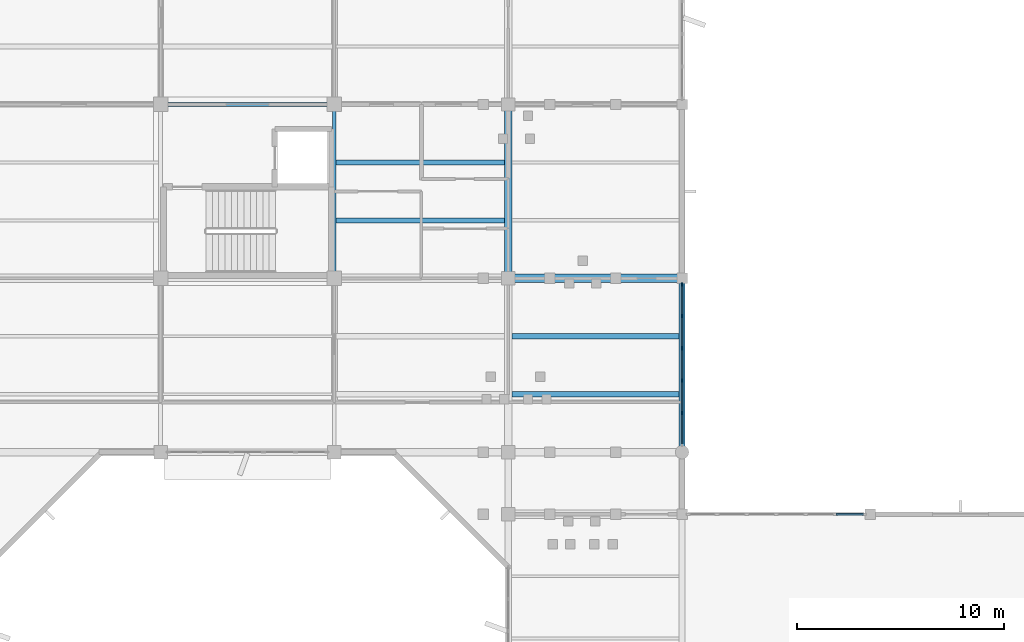
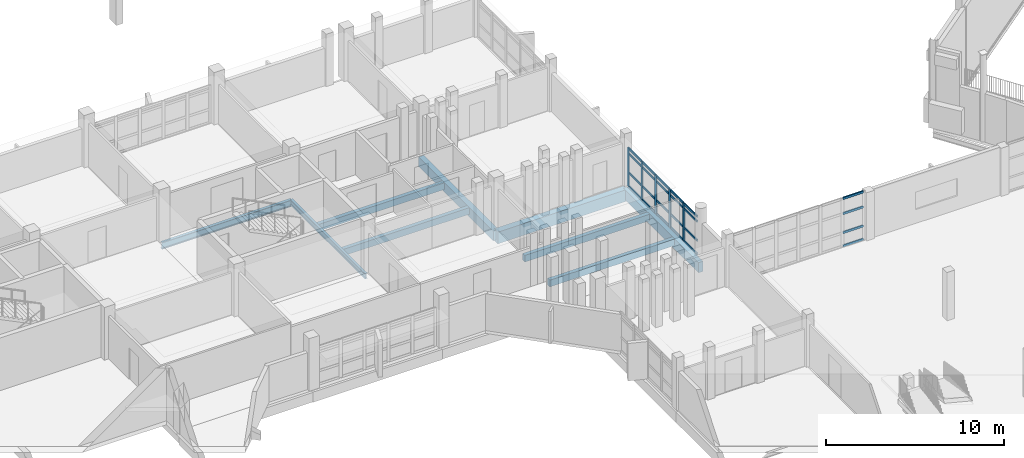
# One storey, part 41 of 104: 29 members, 9 beams, 2 elements without a shape of their own.
"""IFC4 building model written with IfcOpenShell, lengths in metres."""

from ifc_helpers import new_model, si_unit, direction, frame, origin, origin_2d, place, context, subcontext, project, spatial, rectangle, i_section, extrude, material, material_profile, profile_set, type_object, element, aggregate, save


model = new_model("IFC4")

# Units and contexts
model_context = context("Model", 3, precision=1e-05, world=origin(), true_north=direction((0.0, 1.0)))
body_context = subcontext(model_context, "Body", "Model", "MODEL_VIEW")
ifc_project = project(units=[si_unit("LENGTHUNIT", "METRE"), si_unit("AREAUNIT", "SQUARE_METRE"), si_unit("VOLUMEUNIT", "CUBIC_METRE"), si_unit("PLANEANGLEUNIT", "RADIAN"), si_unit("MASSUNIT", "GRAM", prefix="KILO")], contexts=[model_context])

# Site, building, storey
site_placement = place(None, origin())
site = spatial("IfcSite", under=ifc_project, at=site_placement, CompositionType="ELEMENT")
building_placement = place(site_placement, origin())
building = spatial("IfcBuilding", under=site, at=building_placement, Name="Vanh Quang Courtyard School", CompositionType="ELEMENT")
storey_placement = place(building_placement, frame((0.0, 0.0, 4.199951171875)))
storey = spatial("IfcBuildingStorey", under=building, at=storey_placement, Name="L01", CompositionType="ELEMENT", Elevation=4.199951171875)

# Beams
ifc_material_1 = material(Name="Concrete C35/45", Category="concrete")
ifc_material_profile_1 = material_profile(ifc_material_1, rectangle(XDim=0.35009765625, YDim=0.64990234375, at=origin_2d()), Name="RC-BM 350x650")
ifc_profile_set_1 = profile_set([ifc_material_profile_1], Name="Concrete C35/45")
beam_type_1 = type_object("IfcBeamType", Name="BM-RC-350x650", PredefinedType="BEAM", material=ifc_profile_set_1)
beam_1_placement = place(storey_placement, frame((111.0, 79.800048828125, -0.60498046875), z_axis=(0.0, 1.0, 0.0), x_axis=(-1.0, 0.0, 0.0)))
element("IfcBeam", 1, at=beam_1_placement, inside=storey, type_object=beam_type_1, Name="Beam B-05 (L01)", PredefinedType="BEAM", context=body_context, shape_type="SweptSolid", body=[
    extrude(rectangle(XDim=0.35009765625, YDim=0.64990234375, at=origin_2d()), origin(), (0.0, 0.0, 1.0), 8.39990234375),
])
ifc_material_profile_2 = material_profile(ifc_material_1, rectangle(XDim=0.39990234375, YDim=0.800048828125, at=origin_2d()), Name="RC-BM 400x800")
ifc_profile_set_2 = profile_set([ifc_material_profile_2], Name="Concrete C35/45")
beam_type_2 = type_object("IfcBeamType", Name="BM-RC-400x800", PredefinedType="BEAM", material=ifc_profile_set_2)
beam_2_placement = place(storey_placement, frame((111.0, 79.800048828125, -0.679931640625), z_axis=(1.0, 0.0, 0.0), x_axis=(0.0, 1.0, 0.0)))
element("IfcBeam", 2, at=beam_2_placement, inside=storey, type_object=beam_type_2, Name="Beam B-02 (L01)", PredefinedType="BEAM", context=body_context, shape_type="SweptSolid", body=[
    extrude(rectangle(XDim=0.39990234375, YDim=0.800048828125, at=origin_2d()), origin(), (0.0, 0.0, 1.0), 8.39990234375),
])
ifc_material_profile_3 = material_profile(ifc_material_1, rectangle(XDim=0.300048828125, YDim=0.699951171875, at=origin_2d()), Name="RC-SP 300x700")
ifc_profile_set_3 = profile_set([ifc_material_profile_3], Name="Concrete C35/45")
beam_type_3 = type_object("IfcBeamType", Name="BM-SP-300x700", PredefinedType="SPANDREL", material=ifc_profile_set_3)
beam_3_placement = place(storey_placement, frame((119.39990234375, 71.39990234375, -0.6298828125), z_axis=(0.0, 1.0, 0.0), x_axis=(-1.0, 0.0, 0.0)))
element("IfcBeam", 3, at=beam_3_placement, inside=storey, type_object=beam_type_3, Name="Beam BS-01 (L01)", PredefinedType="SPANDREL", context=body_context, shape_type="SweptSolid", body=[
    extrude(rectangle(XDim=0.300048828125, YDim=0.699951171875, at=origin_2d()), origin(), (0.0, 0.0, 1.0), 8.400146484375),
])
ifc_material_2 = material(Name="Structural steel EN 10025-2 S355J2", Category="steel")
ifc_material_profile_4 = material_profile(ifc_material_2, i_section(OverallWidth=0.169921875, OverallDepth=0.360107421875, WebThickness=0.008056640625, FlangeThickness=0.0126953125, FilletRadius=0.01806640625, at=origin_2d()), Name="IPE 360")
ifc_profile_set_4 = profile_set([ifc_material_profile_4], Name="Structural steel EN 10025-2 S355J2")
beam_type_4 = type_object("IfcBeamType", Name="BM-STL-IPE360", PredefinedType="BEAM", material=ifc_profile_set_4)
beam_4_placement = place(storey_placement, frame((102.60009765625, 79.800048828125, -0.4599609375), z_axis=(0.0, 1.0, 0.0), x_axis=(-1.0, 0.0, 0.0)))
element("IfcBeam", 4, at=beam_4_placement, inside=storey, type_object=beam_type_4, Name="Beam SB-06 (L01)", PredefinedType="BEAM", context=body_context, shape_type="SweptSolid", body=[
    extrude(i_section(OverallWidth=0.169921875, OverallDepth=0.360107421875, WebThickness=0.008056640625, FlangeThickness=0.0126953125, FilletRadius=0.01806640625, at=origin_2d()), origin(), (0.0, 0.0, 1.0), 8.39990234375),
])
ifc_material_profile_5 = material_profile(ifc_material_2, i_section(OverallWidth=0.18994140625, OverallDepth=0.449951171875, WebThickness=0.009521484375, FlangeThickness=0.0146484375, FilletRadius=0.02099609375, at=origin_2d()), Name="IPE 450")
ifc_profile_set_5 = profile_set([ifc_material_profile_5], Name="Structural steel EN 10025-2 S355J2")
beam_type_5 = type_object("IfcBeamType", Name="BM-STL-IPE450", PredefinedType="BEAM", material=ifc_profile_set_5)
beam_5_placement = place(storey_placement, frame((94.199951171875, 88.199951171875, -0.5048828125), z_axis=(1.0, 0.0, 0.0), x_axis=(0.0, 1.0, 0.0)))
element("IfcBeam", 5, at=beam_5_placement, inside=storey, type_object=beam_type_5, Name="Beam SB-04 (L01)", PredefinedType="BEAM", context=body_context, shape_type="SweptSolid", body=[
    extrude(i_section(OverallWidth=0.18994140625, OverallDepth=0.449951171875, WebThickness=0.009521484375, FlangeThickness=0.0146484375, FilletRadius=0.02099609375, at=origin_2d()), origin(), (0.0, 0.0, 1.0), 8.400146484375),
])

# Curtain wall, members
ifc_material_3 = material(Name="Thermally broken aluminium unitised curtain wall", Category="aluminium")
curtain_wall_type_1 = type_object("IfcCurtainWallType", Name="CW-SYS-24", PredefinedType="NOTDEFINED", material=ifc_material_3)
curtain_wall_1_placement = place(storey_placement, origin())
curtain_wall_1 = element("IfcCurtainWall", 6, at=curtain_wall_1_placement, inside=storey, type_object=curtain_wall_type_1, Name="Curtain Wall CW-24 (L01)", PredefinedType="NOTDEFINED")
ifc_material_4 = material(Name="Anodised aluminium 6063-T6", Category="aluminium")
ifc_material_profile_6 = material_profile(ifc_material_4, rectangle(XDim=0.070068359375, YDim=0.179931640625, at=origin_2d()), Name="ALU-MUL 70x180")
ifc_profile_set_6 = profile_set([ifc_material_profile_6], Name="Anodised aluminium 6063-T6")
member_type_1 = type_object("IfcMemberType", Name="CW-MUL-70x180", PredefinedType="MULLION", material=ifc_profile_set_6)
member_1_placement = place(storey_placement, frame((119.39990234375, 79.507080078125, 0.0), z_axis=(0.0, 0.0, 1.0), x_axis=(1.0, 0.0, 0.0)))
member_1 = element("IfcMember", 7, at=member_1_placement, type_object=member_type_1, Name="CW-24 mullion 1", PredefinedType="MULLION", context=body_context, shape_type="SweptSolid", body=[
    extrude(rectangle(XDim=0.070068359375, YDim=0.179931640625, at=origin_2d()), origin(), (0.0, 0.0, 1.0), 2.6201171875),
])
member_2_placement = place(storey_placement, frame((119.39990234375, 77.980224609375, 0.0), z_axis=(0.0, 0.0, 1.0), x_axis=(1.0, 0.0, 0.0)))
member_2 = element("IfcMember", 8, at=member_2_placement, type_object=member_type_1, Name="CW-24 mullion 2", PredefinedType="MULLION", context=body_context, shape_type="SweptSolid", body=[
    extrude(rectangle(XDim=0.070068359375, YDim=0.179931640625, at=origin_2d()), origin(), (0.0, 0.0, 1.0), 2.6201171875),
])
member_3_placement = place(storey_placement, frame((119.39990234375, 76.41845703125, 0.0), z_axis=(0.0, 0.0, 1.0), x_axis=(1.0, 0.0, 0.0)))
member_3 = element("IfcMember", 9, at=member_3_placement, type_object=member_type_1, Name="CW-24 mullion 3", PredefinedType="MULLION", context=body_context, shape_type="SweptSolid", body=[
    extrude(rectangle(XDim=0.070068359375, YDim=0.179931640625, at=origin_2d()), origin(), (0.0, 0.0, 1.0), 2.6201171875),
])
member_4_placement = place(storey_placement, frame((119.39990234375, 74.856689453125, 0.0), z_axis=(0.0, 0.0, 1.0), x_axis=(1.0, 0.0, 0.0)))
member_4 = element("IfcMember", 10, at=member_4_placement, type_object=member_type_1, Name="CW-24 mullion 4", PredefinedType="MULLION", context=body_context, shape_type="SweptSolid", body=[
    extrude(rectangle(XDim=0.070068359375, YDim=0.179931640625, at=origin_2d()), origin(), (0.0, 0.0, 1.0), 2.6201171875),
])
member_5_placement = place(storey_placement, frame((119.39990234375, 73.294921875, 0.0), z_axis=(0.0, 0.0, 1.0), x_axis=(1.0, 0.0, 0.0)))
member_5 = element("IfcMember", 11, at=member_5_placement, type_object=member_type_1, Name="CW-24 mullion 5", PredefinedType="MULLION", context=body_context, shape_type="SweptSolid", body=[
    extrude(rectangle(XDim=0.070068359375, YDim=0.179931640625, at=origin_2d()), origin(), (0.0, 0.0, 1.0), 2.6201171875),
])
ifc_material_profile_7 = material_profile(ifc_material_4, rectangle(XDim=0.070068359375, YDim=0.139892578125, at=origin_2d()), Name="ALU-TRN 70x140")
ifc_profile_set_7 = profile_set([ifc_material_profile_7], Name="Anodised aluminium 6063-T6")
member_type_2 = type_object("IfcMemberType", Name="CW-TRN-70x140", PredefinedType="USERDEFINED", material=ifc_profile_set_7)
member_6_placement = place(storey_placement, frame((119.39990234375, 79.471923828125, 0.03515625), z_axis=(0.0, -1.0, 0.0), x_axis=(1.0, 0.0, 0.0)))
member_6 = element("IfcMember", 12, at=member_6_placement, type_object=member_type_2, Name="CW-24 transom 1.1", ObjectType="TRANSOM", PredefinedType="USERDEFINED", context=body_context, shape_type="SweptSolid", body=[
    extrude(rectangle(XDim=0.070068359375, YDim=0.139892578125, at=origin_2d()), origin(), (0.0, 0.0, 1.0), 1.456787109375),
])
member_7_placement = place(storey_placement, frame((119.39990234375, 79.471923828125, 0.949951171875), z_axis=(0.0, -1.0, 0.0), x_axis=(1.0, 0.0, 0.0)))
member_7 = element("IfcMember", 13, at=member_7_placement, type_object=member_type_2, Name="CW-24 transom 1.2", ObjectType="TRANSOM", PredefinedType="USERDEFINED", context=body_context, shape_type="SweptSolid", body=[
    extrude(rectangle(XDim=0.070068359375, YDim=0.139892578125, at=origin_2d()), origin(), (0.0, 0.0, 1.0), 1.456787109375),
])
member_8_placement = place(storey_placement, frame((119.39990234375, 79.471923828125, 2.25), z_axis=(0.0, -1.0, 0.0), x_axis=(1.0, 0.0, 0.0)))
member_8 = element("IfcMember", 14, at=member_8_placement, type_object=member_type_2, Name="CW-24 transom 1.3", ObjectType="TRANSOM", PredefinedType="USERDEFINED", context=body_context, shape_type="SweptSolid", body=[
    extrude(rectangle(XDim=0.070068359375, YDim=0.139892578125, at=origin_2d()), origin(), (0.0, 0.0, 1.0), 1.456787109375),
])
member_9_placement = place(storey_placement, frame((119.39990234375, 79.471923828125, 2.5849609375), z_axis=(0.0, -1.0, 0.0), x_axis=(1.0, 0.0, 0.0)))
member_9 = element("IfcMember", 15, at=member_9_placement, type_object=member_type_2, Name="CW-24 transom 1.4", ObjectType="TRANSOM", PredefinedType="USERDEFINED", context=body_context, shape_type="SweptSolid", body=[
    extrude(rectangle(XDim=0.070068359375, YDim=0.139892578125, at=origin_2d()), origin(), (0.0, 0.0, 1.0), 1.456787109375),
])
member_10_placement = place(storey_placement, frame((119.39990234375, 77.9453125, 0.03515625), z_axis=(0.0, -1.0, 0.0), x_axis=(1.0, 0.0, 0.0)))
member_10 = element("IfcMember", 16, at=member_10_placement, type_object=member_type_2, Name="CW-24 transom 2.1", ObjectType="TRANSOM", PredefinedType="USERDEFINED", context=body_context, shape_type="SweptSolid", body=[
    extrude(rectangle(XDim=0.070068359375, YDim=0.139892578125, at=origin_2d()), origin(), (0.0, 0.0, 1.0), 1.491943359375),
])
member_11_placement = place(storey_placement, frame((119.39990234375, 77.9453125, 0.949951171875), z_axis=(0.0, -1.0, 0.0), x_axis=(1.0, 0.0, 0.0)))
member_11 = element("IfcMember", 17, at=member_11_placement, type_object=member_type_2, Name="CW-24 transom 2.2", ObjectType="TRANSOM", PredefinedType="USERDEFINED", context=body_context, shape_type="SweptSolid", body=[
    extrude(rectangle(XDim=0.070068359375, YDim=0.139892578125, at=origin_2d()), origin(), (0.0, 0.0, 1.0), 1.491943359375),
])
member_12_placement = place(storey_placement, frame((119.39990234375, 77.9453125, 2.25), z_axis=(0.0, -1.0, 0.0), x_axis=(1.0, 0.0, 0.0)))
member_12 = element("IfcMember", 18, at=member_12_placement, type_object=member_type_2, Name="CW-24 transom 2.3", ObjectType="TRANSOM", PredefinedType="USERDEFINED", context=body_context, shape_type="SweptSolid", body=[
    extrude(rectangle(XDim=0.070068359375, YDim=0.139892578125, at=origin_2d()), origin(), (0.0, 0.0, 1.0), 1.491943359375),
])
member_13_placement = place(storey_placement, frame((119.39990234375, 77.9453125, 2.5849609375), z_axis=(0.0, -1.0, 0.0), x_axis=(1.0, 0.0, 0.0)))
member_13 = element("IfcMember", 19, at=member_13_placement, type_object=member_type_2, Name="CW-24 transom 2.4", ObjectType="TRANSOM", PredefinedType="USERDEFINED", context=body_context, shape_type="SweptSolid", body=[
    extrude(rectangle(XDim=0.070068359375, YDim=0.139892578125, at=origin_2d()), origin(), (0.0, 0.0, 1.0), 1.491943359375),
])
member_14_placement = place(storey_placement, frame((119.39990234375, 76.38330078125, 0.03515625), z_axis=(0.0, -1.0, 0.0), x_axis=(1.0, 0.0, 0.0)))
member_14 = element("IfcMember", 20, at=member_14_placement, type_object=member_type_2, Name="CW-24 transom 3.1", ObjectType="TRANSOM", PredefinedType="USERDEFINED", context=body_context, shape_type="SweptSolid", body=[
    extrude(rectangle(XDim=0.070068359375, YDim=0.139892578125, at=origin_2d()), origin(), (0.0, 0.0, 1.0), 1.49169921875),
])
member_15_placement = place(storey_placement, frame((119.39990234375, 76.38330078125, 0.949951171875), z_axis=(0.0, -1.0, 0.0), x_axis=(1.0, 0.0, 0.0)))
member_15 = element("IfcMember", 21, at=member_15_placement, type_object=member_type_2, Name="CW-24 transom 3.2", ObjectType="TRANSOM", PredefinedType="USERDEFINED", context=body_context, shape_type="SweptSolid", body=[
    extrude(rectangle(XDim=0.070068359375, YDim=0.139892578125, at=origin_2d()), origin(), (0.0, 0.0, 1.0), 1.49169921875),
])
member_16_placement = place(storey_placement, frame((119.39990234375, 76.38330078125, 2.25), z_axis=(0.0, -1.0, 0.0), x_axis=(1.0, 0.0, 0.0)))
member_16 = element("IfcMember", 22, at=member_16_placement, type_object=member_type_2, Name="CW-24 transom 3.3", ObjectType="TRANSOM", PredefinedType="USERDEFINED", context=body_context, shape_type="SweptSolid", body=[
    extrude(rectangle(XDim=0.070068359375, YDim=0.139892578125, at=origin_2d()), origin(), (0.0, 0.0, 1.0), 1.49169921875),
])
member_17_placement = place(storey_placement, frame((119.39990234375, 76.38330078125, 2.5849609375), z_axis=(0.0, -1.0, 0.0), x_axis=(1.0, 0.0, 0.0)))
member_17 = element("IfcMember", 23, at=member_17_placement, type_object=member_type_2, Name="CW-24 transom 3.4", ObjectType="TRANSOM", PredefinedType="USERDEFINED", context=body_context, shape_type="SweptSolid", body=[
    extrude(rectangle(XDim=0.070068359375, YDim=0.139892578125, at=origin_2d()), origin(), (0.0, 0.0, 1.0), 1.49169921875),
])
member_18_placement = place(storey_placement, frame((119.39990234375, 74.821533203125, 0.03515625), z_axis=(0.0, -1.0, 0.0), x_axis=(1.0, 0.0, 0.0)))
member_18 = element("IfcMember", 24, at=member_18_placement, type_object=member_type_2, Name="CW-24 transom 4.1", ObjectType="TRANSOM", PredefinedType="USERDEFINED", context=body_context, shape_type="SweptSolid", body=[
    extrude(rectangle(XDim=0.070068359375, YDim=0.139892578125, at=origin_2d()), origin(), (0.0, 0.0, 1.0), 1.49169921875),
])
member_19_placement = place(storey_placement, frame((119.39990234375, 74.821533203125, 0.949951171875), z_axis=(0.0, -1.0, 0.0), x_axis=(1.0, 0.0, 0.0)))
member_19 = element("IfcMember", 25, at=member_19_placement, type_object=member_type_2, Name="CW-24 transom 4.2", ObjectType="TRANSOM", PredefinedType="USERDEFINED", context=body_context, shape_type="SweptSolid", body=[
    extrude(rectangle(XDim=0.070068359375, YDim=0.139892578125, at=origin_2d()), origin(), (0.0, 0.0, 1.0), 1.49169921875),
])
member_20_placement = place(storey_placement, frame((119.39990234375, 74.821533203125, 2.25), z_axis=(0.0, -1.0, 0.0), x_axis=(1.0, 0.0, 0.0)))
member_20 = element("IfcMember", 26, at=member_20_placement, type_object=member_type_2, Name="CW-24 transom 4.3", ObjectType="TRANSOM", PredefinedType="USERDEFINED", context=body_context, shape_type="SweptSolid", body=[
    extrude(rectangle(XDim=0.070068359375, YDim=0.139892578125, at=origin_2d()), origin(), (0.0, 0.0, 1.0), 1.49169921875),
])
member_21_placement = place(storey_placement, frame((119.39990234375, 74.821533203125, 2.5849609375), z_axis=(0.0, -1.0, 0.0), x_axis=(1.0, 0.0, 0.0)))
member_21 = element("IfcMember", 27, at=member_21_placement, type_object=member_type_2, Name="CW-24 transom 4.4", ObjectType="TRANSOM", PredefinedType="USERDEFINED", context=body_context, shape_type="SweptSolid", body=[
    extrude(rectangle(XDim=0.070068359375, YDim=0.139892578125, at=origin_2d()), origin(), (0.0, 0.0, 1.0), 1.49169921875),
])
member_22_placement = place(storey_placement, frame((119.39990234375, 73.259765625, 0.03515625), z_axis=(0.0, -1.0, 0.0), x_axis=(1.0, 0.0, 0.0)))
member_22 = element("IfcMember", 28, at=member_22_placement, type_object=member_type_2, Name="CW-24 transom 5.1", ObjectType="TRANSOM", PredefinedType="USERDEFINED", context=body_context, shape_type="SweptSolid", body=[
    extrude(rectangle(XDim=0.070068359375, YDim=0.139892578125, at=origin_2d()), origin(), (0.0, 0.0, 1.0), 1.456787109375),
])
member_23_placement = place(storey_placement, frame((119.39990234375, 73.259765625, 0.949951171875), z_axis=(0.0, -1.0, 0.0), x_axis=(1.0, 0.0, 0.0)))
member_23 = element("IfcMember", 29, at=member_23_placement, type_object=member_type_2, Name="CW-24 transom 5.2", ObjectType="TRANSOM", PredefinedType="USERDEFINED", context=body_context, shape_type="SweptSolid", body=[
    extrude(rectangle(XDim=0.070068359375, YDim=0.139892578125, at=origin_2d()), origin(), (0.0, 0.0, 1.0), 1.456787109375),
])
member_24_placement = place(storey_placement, frame((119.39990234375, 73.259765625, 2.25), z_axis=(0.0, -1.0, 0.0), x_axis=(1.0, 0.0, 0.0)))
member_24 = element("IfcMember", 30, at=member_24_placement, type_object=member_type_2, Name="CW-24 transom 5.3", ObjectType="TRANSOM", PredefinedType="USERDEFINED", context=body_context, shape_type="SweptSolid", body=[
    extrude(rectangle(XDim=0.070068359375, YDim=0.139892578125, at=origin_2d()), origin(), (0.0, 0.0, 1.0), 1.456787109375),
])
member_25_placement = place(storey_placement, frame((119.39990234375, 73.259765625, 2.5849609375), z_axis=(0.0, -1.0, 0.0), x_axis=(1.0, 0.0, 0.0)))
member_25 = element("IfcMember", 31, at=member_25_placement, type_object=member_type_2, Name="CW-24 transom 5.4", ObjectType="TRANSOM", PredefinedType="USERDEFINED", context=body_context, shape_type="SweptSolid", body=[
    extrude(rectangle(XDim=0.070068359375, YDim=0.139892578125, at=origin_2d()), origin(), (0.0, 0.0, 1.0), 1.456787109375),
])
aggregate(curtain_wall_1, [member_1, member_2, member_3, member_4, member_5, member_6, member_7, member_8, member_9, member_10, member_11, member_12, member_13, member_14, member_15, member_16, member_17, member_18, member_19, member_20, member_21, member_22, member_23, member_24, member_25])

curtain_wall_type_2 = type_object("IfcCurtainWallType", Name="CW-SYS-25", PredefinedType="NOTDEFINED", material=ifc_material_3)
curtain_wall_2_placement = place(storey_placement, origin())
curtain_wall_2 = element("IfcCurtainWall", 32, at=curtain_wall_2_placement, inside=storey, type_object=curtain_wall_type_2, Name="Curtain Wall CW-25 (L01)", PredefinedType="NOTDEFINED")
ifc_material_profile_8 = material_profile(ifc_material_4, rectangle(XDim=0.080078125, YDim=0.14990234375, at=origin_2d()), Name="ALU-TRN 80x150")
ifc_profile_set_8 = profile_set([ifc_material_profile_8], Name="Anodised aluminium 6063-T6")
member_type_3 = type_object("IfcMemberType", Name="CW-TRN-80x150", PredefinedType="USERDEFINED", material=ifc_profile_set_8)
member_26_placement = place(storey_placement, frame((126.851318359375, 68.39990234375, 0.0400390625), z_axis=(1.0, 0.0, 0.0), x_axis=(0.0, 1.0, 0.0)))
member_26 = element("IfcMember", 33, at=member_26_placement, type_object=member_type_3, Name="CW-25 transom 6.1", ObjectType="TRANSOM", PredefinedType="USERDEFINED", context=body_context, shape_type="SweptSolid", body=[
    extrude(rectangle(XDim=0.080078125, YDim=0.14990234375, at=origin_2d()), origin(), (0.0, 0.0, 1.0), 1.310791015625),
])
member_27_placement = place(storey_placement, frame((126.851318359375, 68.39990234375, 0.949951171875), z_axis=(1.0, 0.0, 0.0), x_axis=(0.0, 1.0, 0.0)))
member_27 = element("IfcMember", 34, at=member_27_placement, type_object=member_type_3, Name="CW-25 transom 6.2", ObjectType="TRANSOM", PredefinedType="USERDEFINED", context=body_context, shape_type="SweptSolid", body=[
    extrude(rectangle(XDim=0.080078125, YDim=0.14990234375, at=origin_2d()), origin(), (0.0, 0.0, 1.0), 1.310791015625),
])
member_28_placement = place(storey_placement, frame((126.851318359375, 68.39990234375, 2.25), z_axis=(1.0, 0.0, 0.0), x_axis=(0.0, 1.0, 0.0)))
member_28 = element("IfcMember", 35, at=member_28_placement, type_object=member_type_3, Name="CW-25 transom 6.3", ObjectType="TRANSOM", PredefinedType="USERDEFINED", context=body_context, shape_type="SweptSolid", body=[
    extrude(rectangle(XDim=0.080078125, YDim=0.14990234375, at=origin_2d()), origin(), (0.0, 0.0, 1.0), 1.310791015625),
])
member_29_placement = place(storey_placement, frame((126.851318359375, 68.39990234375, 3.280029296875), z_axis=(1.0, 0.0, 0.0), x_axis=(0.0, 1.0, 0.0)))
member_29 = element("IfcMember", 36, at=member_29_placement, type_object=member_type_3, Name="CW-25 transom 6.4", ObjectType="TRANSOM", PredefinedType="USERDEFINED", context=body_context, shape_type="SweptSolid", body=[
    extrude(rectangle(XDim=0.080078125, YDim=0.14990234375, at=origin_2d()), origin(), (0.0, 0.0, 1.0), 1.310791015625),
])
aggregate(curtain_wall_2, [member_26, member_27, member_28, member_29])

# Beams
ifc_material_5 = material(Name="Concrete C30/37", Category="concrete")
ifc_material_profile_9 = material_profile(ifc_material_5, rectangle(XDim=0.25, YDim=0.449951171875, at=origin_2d()), Name="RC-JST 250x450")
ifc_profile_set_9 = profile_set([ifc_material_profile_9], Name="Concrete C30/37")
beam_type_6 = type_object("IfcBeamType", Name="JST-RC-250x450", PredefinedType="JOIST", material=ifc_profile_set_9)
for number, where, z_axis, x_axis, name in (
    (37, (102.68505859375, 82.60009765625, -0.5048828125), (1.0, 0.0, 0.0), (0.0, 1.0, 0.0), "Beam BJ-02 (L01)"),
    (38, (102.68505859375, 85.39990234375, -0.5048828125), (1.0, 0.0, 0.0), (0.0, 1.0, 0.0), "Beam BJ-02 (L01)"),
):
    element("IfcBeam", number, at=place(storey_placement, frame(where, z_axis=z_axis, x_axis=x_axis)), inside=storey, type_object=beam_type_6, Name=name, PredefinedType="JOIST", context=body_context, shape_type="SweptSolid", body=[
        extrude(rectangle(XDim=0.25, YDim=0.449951171875, at=origin_2d()), origin(), (0.0, 0.0, 1.0), 8.139892578125),
    ])
for number, where, z_axis, x_axis, name in (
    (39, (111.175048828125, 74.199951171875, -0.5048828125), (1.0, 0.0, 0.0), (0.0, 1.0, 0.0), "Beam BJ-02 (L01)"),
    (40, (111.175048828125, 77.0, -0.5048828125), (1.0, 0.0, 0.0), (0.0, 1.0, 0.0), "Beam BJ-02 (L01)"),
):
    element("IfcBeam", number, at=place(storey_placement, frame(where, z_axis=z_axis, x_axis=x_axis)), inside=storey, type_object=beam_type_6, Name=name, PredefinedType="JOIST", context=body_context, shape_type="SweptSolid", body=[
        extrude(rectangle(XDim=0.25, YDim=0.449951171875, at=origin_2d()), origin(), (0.0, 0.0, 1.0), 8.074951171875),
    ])

save(model, "model.ifc")
